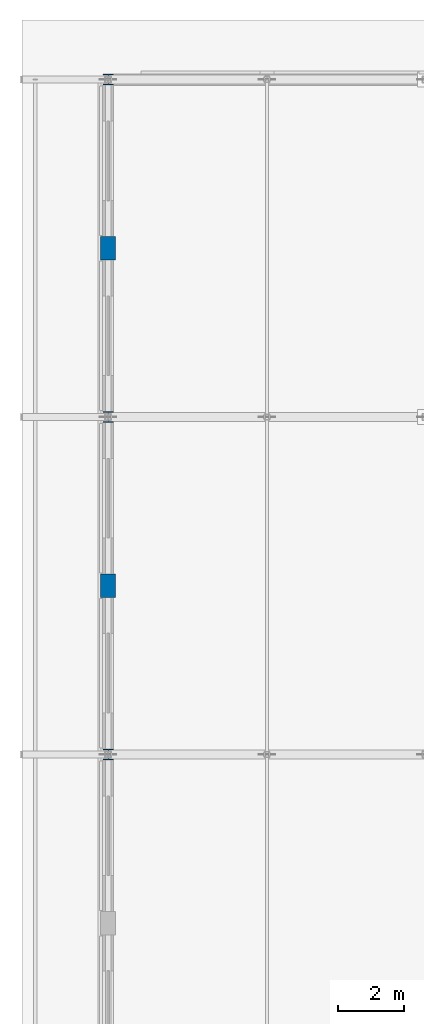
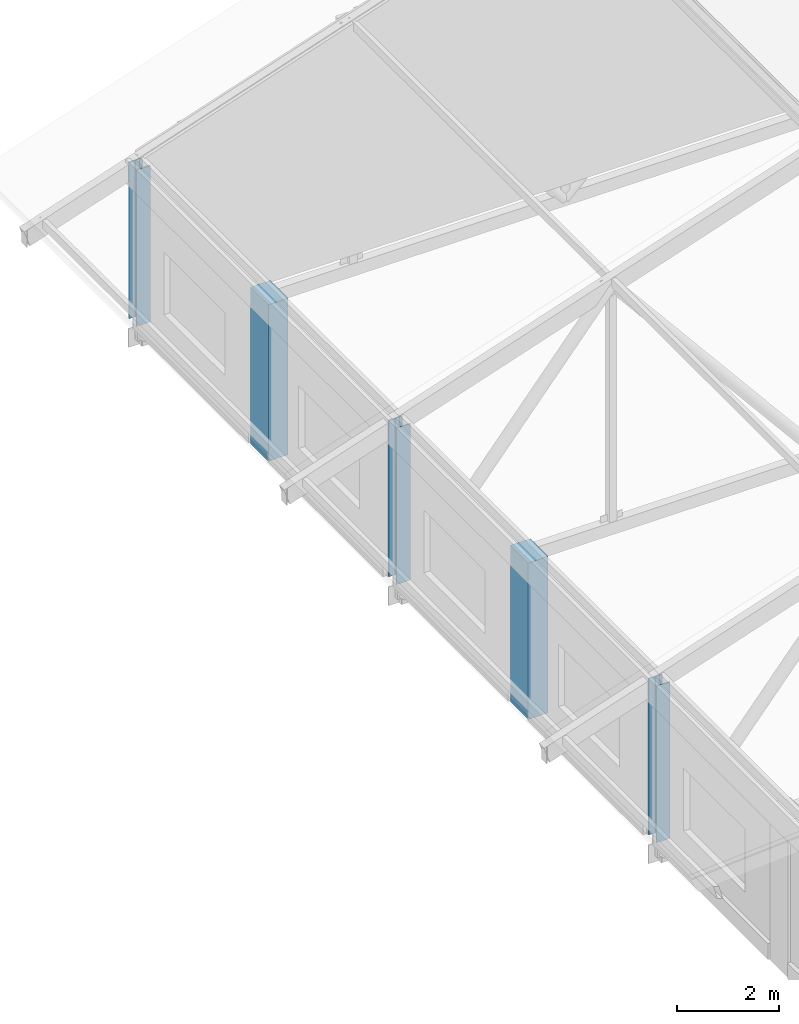
# One storey, part 7 of 200: 5 columns.
"""IFC4 building model written with IfcOpenShell, lengths in metres."""

from ifc_helpers import new_model, si_unit, direction, frame, origin, origin_2d, place, context, subcontext, project, spatial, rectangle, i_section, extrude, material, material_profile, profile_set, type_object, element, save


model = new_model("IFC4")

# Units and contexts
model_context = context("Model", 3, precision=1e-05, world=origin(), true_north=direction((0.0, 1.0)))
body_context = subcontext(model_context, "Body", "Model", "MODEL_VIEW")
ifc_project = project(units=[si_unit("LENGTHUNIT", "METRE"), si_unit("AREAUNIT", "SQUARE_METRE"), si_unit("VOLUMEUNIT", "CUBIC_METRE"), si_unit("PLANEANGLEUNIT", "RADIAN"), si_unit("MASSUNIT", "GRAM", prefix="KILO")], contexts=[model_context])

# Site, building, storey
site_placement = place(None, origin())
site = spatial("IfcSite", under=ifc_project, at=site_placement, CompositionType="ELEMENT")
building_placement = place(site_placement, origin())
building = spatial("IfcBuilding", under=site, at=building_placement, Name="Vondelvale Polytechnic", CompositionType="ELEMENT")
storey_placement = place(building_placement, frame((0.0, 0.0, 13.800048828125)))
storey = spatial("IfcBuildingStorey", under=building, at=storey_placement, Name="L03", CompositionType="ELEMENT", Elevation=13.800048828125)

# Columns
ifc_material_1 = material(Name="Steel 300PLUS (fy = 300 MPa)", Category="steel")
ifc_material_profile_1 = material_profile(ifc_material_1, i_section(OverallWidth=0.31103515625, OverallDepth=0.326904296875, WebThickness=0.015625, FlangeThickness=0.02490234375, FilletRadius=0.0166015625, at=origin_2d()), Name="310UC158")
ifc_profile_set_1 = profile_set([ifc_material_profile_1], Name="Steel 300PLUS (fy = 300 MPa)")
column_type_1 = type_object("IfcColumnType", Name="COL-UC310H", PredefinedType="COLUMN", material=ifc_profile_set_1)
for number, where, z_axis, x_axis, name in (
    (1, (0.0, 102.0, 0.0), (0.0, 0.0, 1.0), (1.0, 0.0, 0.0), "L03 workshop West high-bay column (0.0,102.0)"),
    (2, (0.0, 112.199951171875, 0.0), (0.0, 0.0, 1.0), (1.0, 0.0, 0.0), "L03 workshop West high-bay column (0.0,112.2)"),
    (3, (0.0, 122.39990234375, 0.0), (0.0, 0.0, 1.0), (1.0, 0.0, 0.0), "L03 workshop West high-bay column (0.0,122.4)"),
):
    element("IfcColumn", number, at=place(storey_placement, frame(where, z_axis=z_axis, x_axis=x_axis)), inside=storey, type_object=column_type_1, Name=name, PredefinedType="COLUMN", context=body_context, shape_type="SweptSolid", body=[
        extrude(i_section(OverallWidth=0.31103515625, OverallDepth=0.326904296875, WebThickness=0.015625, FlangeThickness=0.02490234375, FilletRadius=0.0166015625, at=origin_2d()), origin(), (0.0, 0.0, 1.0), 3.75),
    ])
ifc_material_2 = material(Name="Concrete N50 (f'c = 50 MPa)", Category="concrete")
ifc_material_profile_2 = material_profile(ifc_material_2, rectangle(XDim=0.449951171875, YDim=0.699951171875, at=origin_2d()), Name="RC-PIL-700x450")
ifc_profile_set_2 = profile_set([ifc_material_profile_2], Name="Concrete N50 (f'c = 50 MPa)")
column_type_2 = type_object("IfcColumnType", Name="PIL-RC700x450", PredefinedType="PILASTER", material=ifc_profile_set_2)
for number, where, z_axis, x_axis, name in (
    (4, (0.0, 107.10009765625, 0.0), (0.0, 0.0, 1.0), (1.0, 0.0, 0.0), "L03 West workshop brick pilaster 6"),
    (5, (0.0, 117.300048828125, 0.0), (0.0, 0.0, 1.0), (1.0, 0.0, 0.0), "L03 West workshop brick pilaster 7"),
):
    element("IfcColumn", number, at=place(storey_placement, frame(where, z_axis=z_axis, x_axis=x_axis)), inside=storey, type_object=column_type_2, Name=name, PredefinedType="PILASTER", context=body_context, shape_type="SweptSolid", body=[
        extrude(rectangle(XDim=0.449951171875, YDim=0.699951171875, at=origin_2d()), origin(), (0.0, 0.0, 1.0), 3.75),
    ])

save(model, "model.ifc")
